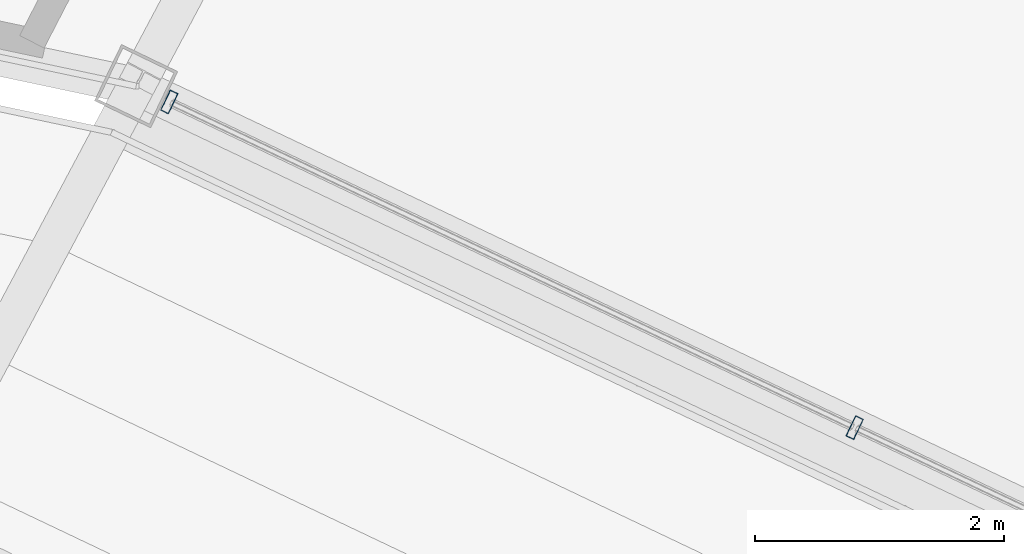
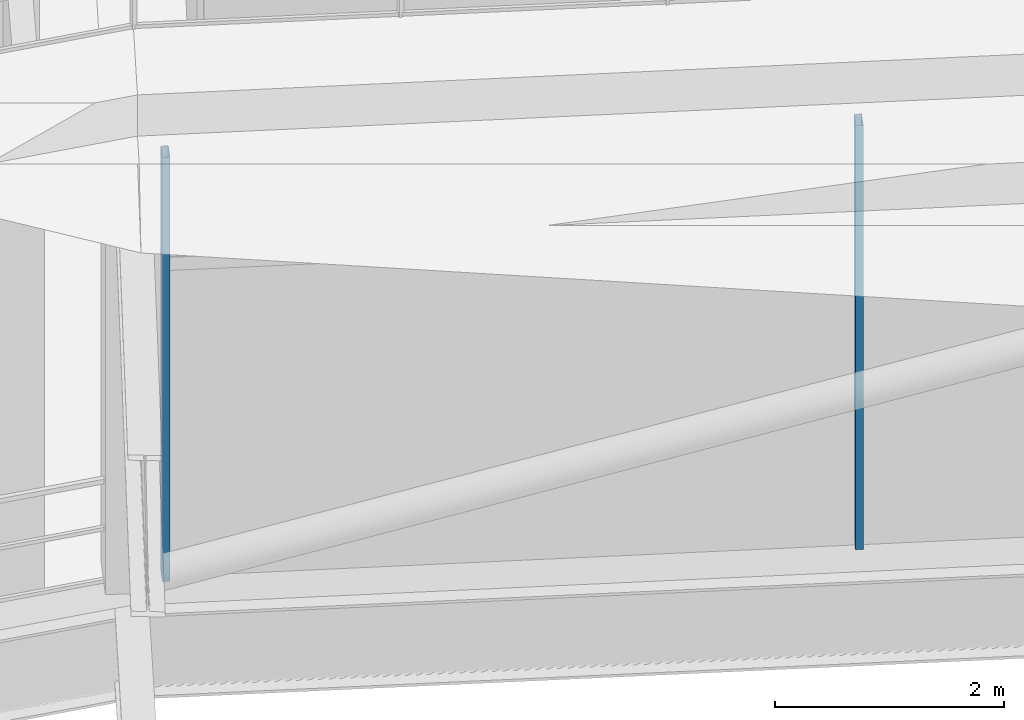
# One storey, part 108 of 186: 2 members, 1 element without a shape of its own.
"""IFC4 building model written with IfcOpenShell, lengths in metres."""

from ifc_helpers import new_model, si_unit, direction, frame, origin, origin_2d, place, context, subcontext, project, spatial, hollow_rectangle, extrude, material, layer, layer_set, material_profile, profile_set, type_object, element, aggregate, save


model = new_model("IFC4")

# Units and contexts
model_context = context("Model", 3, precision=1e-05, world=origin(), true_north=direction((0.0, 1.0)))
body_context = subcontext(model_context, "Body", "Model", "MODEL_VIEW")
ifc_project = project(units=[si_unit("LENGTHUNIT", "METRE"), si_unit("AREAUNIT", "SQUARE_METRE"), si_unit("VOLUMEUNIT", "CUBIC_METRE"), si_unit("PLANEANGLEUNIT", "RADIAN"), si_unit("MASSUNIT", "GRAM", prefix="KILO")], contexts=[model_context])

# Site, building, storey
site_placement = place(None, origin())
site = spatial("IfcSite", under=ifc_project, at=site_placement, CompositionType="ELEMENT")
building_placement = place(site_placement, origin())
building = spatial("IfcBuilding", under=site, at=building_placement, Name="Kazemori Nagisa Stadium", CompositionType="ELEMENT")
storey_placement = place(building_placement, frame((0.0, 0.0, 20.39990234375)))
storey = spatial("IfcBuildingStorey", under=building, at=storey_placement, Name="L04", CompositionType="ELEMENT", Elevation=20.39990234375)

# Curtain wall, members
ifc_material_1 = material(Name="Anodised aluminium 6063-T5", Category="aluminium")
ifc_layer = layer(ifc_material_1, 0.179931640625, Name="Anodised aluminium 6063-T5", Category="aluminium")
ifc_layer_set = layer_set([ifc_layer], Name="Anodised aluminium 6063-T5")
curtain_wall_type = type_object("IfcCurtainWallType", Name="CW_L04B_92", PredefinedType="USERDEFINED", material=ifc_layer_set)
curtain_wall_placement = place(storey_placement, origin())
curtain_wall = element("IfcCurtainWall", 1, at=curtain_wall_placement, inside=storey, type_object=curtain_wall_type, Name="Unitised curtain wall CW-L04B-92 L04", ObjectType="UNITISED CURTAIN WALL", PredefinedType="USERDEFINED")
ifc_material_2 = material(Name="Aluminium 6063-T5 anodised", Category="aluminium")
ifc_material_profile = material_profile(ifc_material_2, hollow_rectangle(XDim=0.070068359375, YDim=0.179931640625, WallThickness=0.00390625, at=origin_2d()), Name="ALU-MULL-70x180x4")
ifc_profile_set = profile_set([ifc_material_profile], Name="Aluminium 6063-T5 anodised")
member_type = type_object("IfcMemberType", Name="Mullion_M01", PredefinedType="MULLION", material=ifc_profile_set)
member_1_placement = place(storey_placement, frame((165.574951171875, 168.4609375, 0.0), z_axis=(0.0, 0.0, 1.0), x_axis=(-0.903215892654, 0.429186499388, 0.0)))
member_1 = element("IfcMember", 2, at=member_1_placement, type_object=member_type, Name="Curtain wall mullion CW-L04B-92-M3", PredefinedType="MULLION", context=body_context, shape_type="SweptSolid", body=[
    extrude(hollow_rectangle(XDim=0.070068359375, YDim=0.179931640625, WallThickness=0.00390625, at=origin_2d()), origin(), (0.0, 0.0, 1.0), 4.530029296875),
])
member_2_placement = place(storey_placement, frame((160.07861328125, 171.07275390625, 0.0), z_axis=(0.0, 0.0, 1.0), x_axis=(-0.903215892654, 0.429186499388, 0.0)))
member_2 = element("IfcMember", 3, at=member_2_placement, type_object=member_type, Name="Curtain wall mullion CW-L04B-92-M4", PredefinedType="MULLION", context=body_context, shape_type="SweptSolid", body=[
    extrude(hollow_rectangle(XDim=0.070068359375, YDim=0.179931640625, WallThickness=0.00390625, at=origin_2d()), origin(), (0.0, 0.0, 1.0), 4.530029296875),
])
aggregate(curtain_wall, [member_1, member_2])

save(model, "model.ifc")
